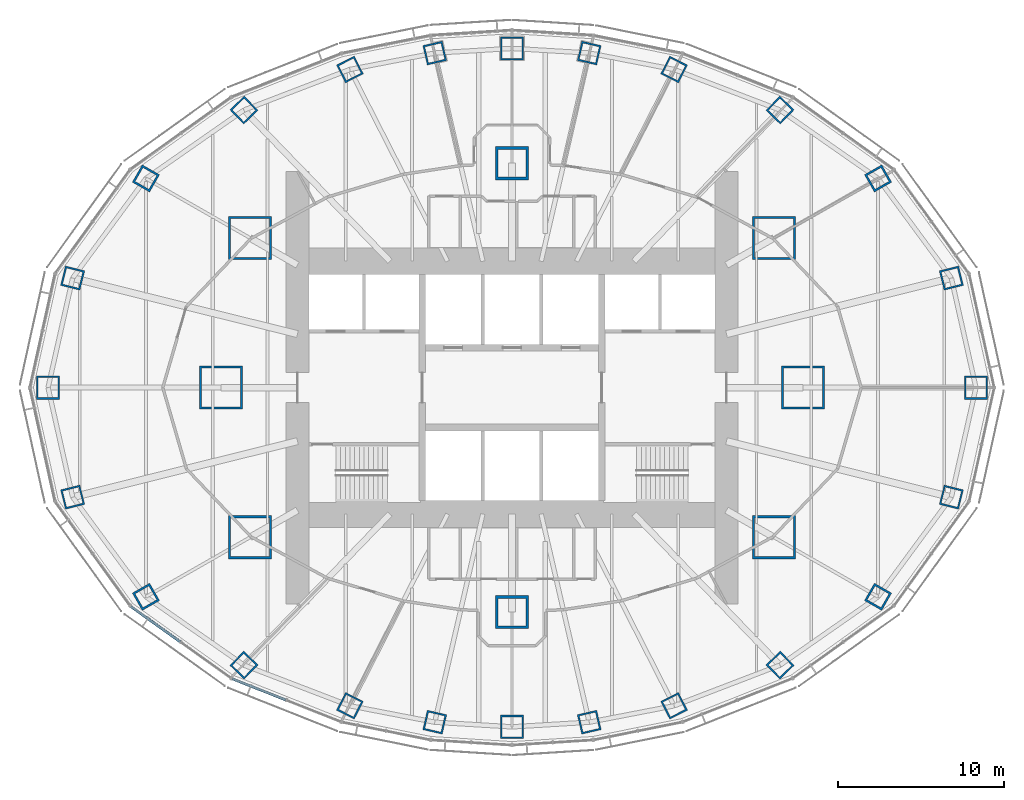
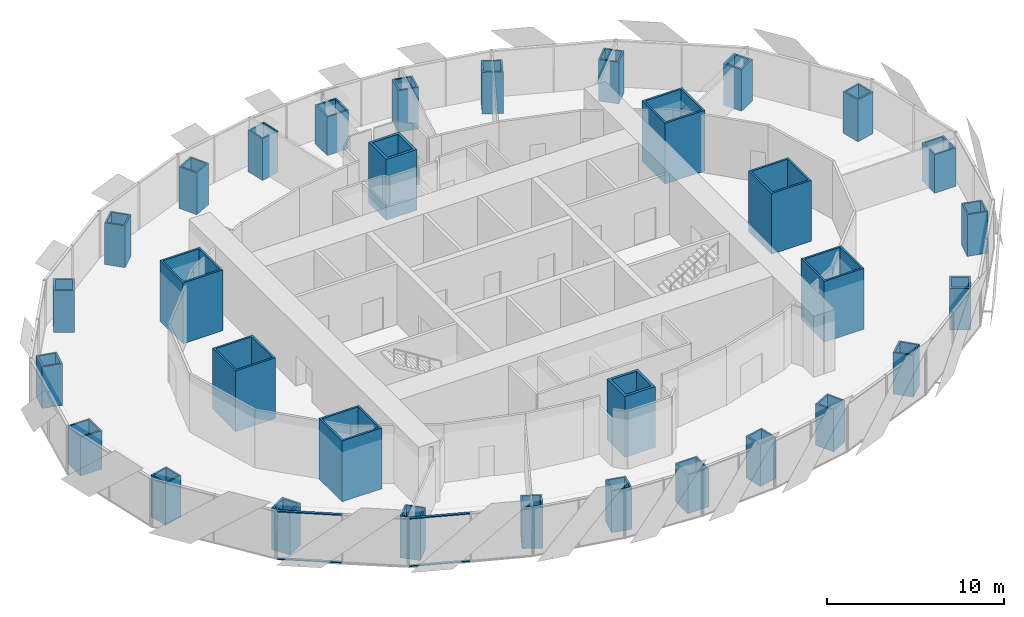
# One storey, part 1 of 18: 32 columns, 4 members, 2 elements without a shape of their own.
"""IFC4 building model written with IfcOpenShell, lengths in metres."""

from ifc_helpers import new_model, si_unit, direction, frame, origin, origin_2d, place, context, subcontext, project, spatial, rectangle, hollow_rectangle, extrude, material, material_profile, profile_set, type_object, element, aggregate, save


model = new_model("IFC4")

# Units and contexts
model_context = context("Model", 3, precision=1e-05, world=origin(), true_north=direction((0.0, 1.0)))
body_context = subcontext(model_context, "Body", "Model", "MODEL_VIEW")
ifc_project = project(units=[si_unit("LENGTHUNIT", "METRE"), si_unit("AREAUNIT", "SQUARE_METRE"), si_unit("VOLUMEUNIT", "CUBIC_METRE"), si_unit("PLANEANGLEUNIT", "RADIAN"), si_unit("MASSUNIT", "GRAM", prefix="KILO")], contexts=[model_context])

# Site, building, storey
site_placement = place(None, origin())
site = spatial("IfcSite", under=ifc_project, at=site_placement, CompositionType="ELEMENT")
building_placement = place(site_placement, origin())
building = spatial("IfcBuilding", under=site, at=building_placement, Name="Lantaw Convention Tower", CompositionType="ELEMENT")
storey_placement = place(building_placement, frame((0.0, 0.0, 188.800048828125)))
storey = spatial("IfcBuildingStorey", under=building, at=storey_placement, Name="L44", CompositionType="ELEMENT", Elevation=188.800048828125)

# Columns
ifc_material_1 = material(Name="Steel EN 10025-3 S460N", Category="steel")
ifc_material_profile_1 = material_profile(ifc_material_1, hollow_rectangle(XDim=2.0, YDim=2.0, WallThickness=0.169921875, at=origin_2d()), Name="BOX2000X170")
ifc_material_2 = material(Name="Concrete C60/75", Category="concrete")
ifc_material_profile_2 = material_profile(ifc_material_2, rectangle(XDim=1.659912109375, YDim=1.659912109375, at=origin_2d()), Name="Concrete fill of BOX2000X170")
ifc_profile_set_1 = profile_set([ifc_material_profile_1, ifc_material_profile_2], Name="Steel EN 10025-3 S460N")
column_type_1 = type_object("IfcColumnType", Name="Column MC BOX2000X170", PredefinedType="COLUMN", material=ifc_profile_set_1)
for number, where, z_axis, x_axis, name in (
    (1, (0.0, 13.5, 0.0), (0.0, 0.0, 1.0), (1.0, 0.0, 0.0), "Mega column M3"),
    (2, (0.0, -13.5, 0.0), (0.0, 0.0, 1.0), (1.0, 0.0, 0.0), "Mega column M7"),
):
    element("IfcColumn", number, at=place(storey_placement, frame(where, z_axis=z_axis, x_axis=x_axis)), inside=storey, type_object=column_type_1, Name=name, PredefinedType="COLUMN", context=body_context, shape_type="SweptSolid", body=[
        extrude(hollow_rectangle(XDim=2.0, YDim=2.0, WallThickness=0.169921875, at=origin_2d()), origin(), (0.0, 0.0, 1.0), 4.199951171875),
    ])
ifc_material_profile_3 = material_profile(ifc_material_1, hollow_rectangle(XDim=2.60009765625, YDim=2.60009765625, WallThickness=0.1298828125, at=origin_2d()), Name="BOX2600X130")
ifc_material_profile_4 = material_profile(ifc_material_2, rectangle(XDim=2.340087890625, YDim=2.340087890625, at=origin_2d()), Name="Concrete fill of BOX2600X130")
ifc_profile_set_2 = profile_set([ifc_material_profile_3, ifc_material_profile_4], Name="Steel EN 10025-3 S460N")
column_type_2 = type_object("IfcColumnType", Name="Column MC BOX2600X130", PredefinedType="COLUMN", material=ifc_profile_set_2)
for number, where, z_axis, x_axis, name in (
    (3, (17.5, 0.0, 0.0), (0.0, 0.0, 1.0), (1.0, 0.0, 0.0), "Mega column M1"),
    (4, (15.75, 9.0, 0.0), (0.0, 0.0, 1.0), (1.0, 0.0, 0.0), "Mega column M2"),
    (5, (-15.75, 9.0, 0.0), (0.0, 0.0, 1.0), (1.0, 0.0, 0.0), "Mega column M4"),
    (6, (-17.5, 0.0, 0.0), (0.0, 0.0, 1.0), (1.0, 0.0, 0.0), "Mega column M5"),
    (7, (-15.75, -9.0, 0.0), (0.0, 0.0, 1.0), (1.0, 0.0, 0.0), "Mega column M6"),
    (8, (15.75, -9.0, 0.0), (0.0, 0.0, 1.0), (1.0, 0.0, 0.0), "Mega column M8"),
):
    element("IfcColumn", number, at=place(storey_placement, frame(where, z_axis=z_axis, x_axis=x_axis)), inside=storey, type_object=column_type_2, Name=name, PredefinedType="COLUMN", context=body_context, shape_type="SweptSolid", body=[
        extrude(hollow_rectangle(XDim=2.60009765625, YDim=2.60009765625, WallThickness=0.1298828125, at=origin_2d()), origin(), (0.0, 0.0, 1.0), 4.199951171875),
    ])
ifc_material_profile_5 = material_profile(ifc_material_1, hollow_rectangle(XDim=1.199951171875, YDim=1.199951171875, WallThickness=0.10009765625, at=origin_2d()), Name="BOX1200X100")
ifc_material_profile_6 = material_profile(ifc_material_2, rectangle(XDim=1.0, YDim=1.0, at=origin_2d()), Name="Concrete fill of BOX1200X100")
ifc_profile_set_3 = profile_set([ifc_material_profile_5, ifc_material_profile_6], Name="Steel EN 10025-3 S460N")
column_type_3 = type_object("IfcColumnType", Name="Column PC BOX1200X100", PredefinedType="COLUMN", material=ifc_profile_set_3)
for number, where, z_axis, x_axis, name in (
    (9, (26.419921875, 6.587158203125, 0.0), (0.0, 0.0, 1.0), (0.970295726276, 0.2419218956, 0.0), "Perimeter column P2"),
    (10, (16.11767578125, 16.690185546875, 0.0), (0.0, 0.0, 1.0), (0.694658370459, 0.719339800339, 0.0), "Perimeter column P4"),
    (11, (9.74853515625, 19.1328125, 0.0), (0.0, 0.0, 1.0), (0.45399049974, 0.891006524188, 0.0), "Perimeter column P5"),
    (12, (4.64501953125, 20.1201171875, 0.0), (0.0, 0.0, 1.0), (0.224951054344, 0.974370064785, 0.0), "Perimeter column P6"),
    (13, (-4.64501953125, 20.1201171875, 0.0), (0.0, 0.0, 1.0), (0.974370064785, 0.224951054344, 0.0), "Perimeter column P8"),
    (14, (-9.74853515625, 19.1328125, 0.0), (0.0, 0.0, 1.0), (0.891006524188, 0.45399049974, 0.0), "Perimeter column P9"),
    (15, (-16.11767578125, 16.690185546875, 0.0), (0.0, 0.0, 1.0), (0.719339800339, 0.694658370459, 0.0), "Perimeter column P10"),
    (16, (-26.419921875, 6.587158203125, 0.0), (0.0, 0.0, 1.0), (0.2419218956, 0.970295726276, 0.0), "Perimeter column P12"),
    (17, (-26.419921875, -6.587158203125, 0.0), (0.0, 0.0, 1.0), (0.970295726276, 0.2419218956, 0.0), "Perimeter column P14"),
    (18, (-16.11767578125, -16.690185546875, 0.0), (0.0, 0.0, 1.0), (0.694658370459, 0.719339800339, 0.0), "Perimeter column P16"),
    (19, (-9.74853515625, -19.1328125, 0.0), (0.0, 0.0, 1.0), (0.45399049974, 0.891006524188, 0.0), "Perimeter column P17"),
    (20, (-4.64501953125, -20.1201171875, 0.0), (0.0, 0.0, 1.0), (0.224951054344, 0.974370064785, 0.0), "Perimeter column P18"),
    (21, (4.64501953125, -20.1201171875, 0.0), (0.0, 0.0, 1.0), (0.974370064785, 0.224951054344, 0.0), "Perimeter column P20"),
    (22, (9.74853515625, -19.1328125, 0.0), (0.0, 0.0, 1.0), (0.891006524188, 0.45399049974, 0.0), "Perimeter column P21"),
    (23, (16.11767578125, -16.690185546875, 0.0), (0.0, 0.0, 1.0), (0.719339800339, 0.694658370459, 0.0), "Perimeter column P22"),
    (24, (26.419921875, -6.587158203125, 0.0), (0.0, 0.0, 1.0), (0.2419218956, 0.970295726276, 0.0), "Perimeter column P24"),
):
    element("IfcColumn", number, at=place(storey_placement, frame(where, z_axis=z_axis, x_axis=x_axis)), inside=storey, type_object=column_type_3, Name=name, PredefinedType="COLUMN", context=body_context, shape_type="SweptSolid", body=[
        extrude(hollow_rectangle(XDim=1.199951171875, YDim=1.199951171875, WallThickness=0.10009765625, at=origin_2d()), origin(), (0.0, 0.0, 1.0), 2.8798828125),
    ])
ifc_material_profile_7 = material_profile(ifc_material_1, hollow_rectangle(XDim=1.199951171875, YDim=1.199951171875, WallThickness=0.1201171875, at=origin_2d()), Name="BOX1200X120")
ifc_material_profile_8 = material_profile(ifc_material_2, rectangle(XDim=0.9599609375, YDim=0.9599609375, at=origin_2d()), Name="Concrete fill of BOX1200X120")
ifc_profile_set_4 = profile_set([ifc_material_profile_7, ifc_material_profile_8], Name="Steel EN 10025-3 S460N")
column_type_4 = type_object("IfcColumnType", Name="Column PC BOX1200X120", PredefinedType="COLUMN", material=ifc_profile_set_4)
for number, where, z_axis, x_axis, name in (
    (25, (22.013916015625, 12.579345703125, 0.0), (0.0, 0.0, 1.0), (0.86824298017, 0.496139221777, 0.0), "Perimeter column P3"),
    (26, (-22.013916015625, 12.579345703125, 0.0), (0.0, 0.0, 1.0), (0.496139221777, 0.86824298017, 0.0), "Perimeter column P11"),
    (27, (-22.013916015625, -12.579345703125, 0.0), (0.0, 0.0, 1.0), (0.86824298017, 0.496139221777, 0.0), "Perimeter column P15"),
    (28, (22.013916015625, -12.579345703125, 0.0), (0.0, 0.0, 1.0), (0.496139221777, 0.86824298017, 0.0), "Perimeter column P23"),
):
    element("IfcColumn", number, at=place(storey_placement, frame(where, z_axis=z_axis, x_axis=x_axis)), inside=storey, type_object=column_type_4, Name=name, PredefinedType="COLUMN", context=body_context, shape_type="SweptSolid", body=[
        extrude(hollow_rectangle(XDim=1.199951171875, YDim=1.199951171875, WallThickness=0.1201171875, at=origin_2d()), origin(), (0.0, 0.0, 1.0), 2.8798828125),
    ])
ifc_material_profile_9 = material_profile(ifc_material_1, hollow_rectangle(XDim=1.39990234375, YDim=1.39990234375, WallThickness=0.10009765625, at=origin_2d()), Name="BOX1400X100")
ifc_material_profile_10 = material_profile(ifc_material_2, rectangle(XDim=1.199951171875, YDim=1.199951171875, at=origin_2d()), Name="Concrete fill of BOX1400X100")
ifc_profile_set_5 = profile_set([ifc_material_profile_9, ifc_material_profile_10], Name="Steel EN 10025-3 S460N")
column_type_5 = type_object("IfcColumnType", Name="Column PC BOX1400X100", PredefinedType="COLUMN", material=ifc_profile_set_5)
for number, where, z_axis, x_axis, name in (
    (29, (27.89990234375, 0.0, 0.0), (0.0, 0.0, 1.0), (1.0, 0.0, 0.0), "Perimeter column P1"),
    (30, (0.0, 20.39990234375, 0.0), (0.0, 0.0, 1.0), (1.0, 0.0, 0.0), "Perimeter column P7"),
    (31, (-27.89990234375, 0.0, 0.0), (0.0, 0.0, 1.0), (1.0, 0.0, 0.0), "Perimeter column P13"),
    (32, (0.0, -20.39990234375, 0.0), (0.0, 0.0, 1.0), (1.0, 0.0, 0.0), "Perimeter column P19"),
):
    element("IfcColumn", number, at=place(storey_placement, frame(where, z_axis=z_axis, x_axis=x_axis)), inside=storey, type_object=column_type_5, Name=name, PredefinedType="COLUMN", context=body_context, shape_type="SweptSolid", body=[
        extrude(hollow_rectangle(XDim=1.39990234375, YDim=1.39990234375, WallThickness=0.10009765625, at=origin_2d()), origin(), (0.0, 0.0, 1.0), 2.659912109375),
    ])

# Curtain wall, members
ifc_material_3 = material(Name="Aluminium framed curtain wall", Category="aluminium")
curtain_wall_type = type_object("IfcCurtainWallType", Name="Office curtain wall low rise, pale aluminium", PredefinedType="USERDEFINED", material=ifc_material_3)
curtain_wall_1_placement = place(storey_placement, origin())
curtain_wall_1 = element("IfcCurtainWall", 33, at=curtain_wall_1_placement, inside=storey, type_object=curtain_wall_type, Name="Office curtain wall low rise, pale aluminium L44", ObjectType="UNITISED CURTAIN WALL", PredefinedType="USERDEFINED")
ifc_material_4 = material(Name="Aluminium 6063-T6", Category="aluminium")
ifc_material_profile_11 = material_profile(ifc_material_4, rectangle(XDim=0.159912109375, YDim=0.06494140625, at=origin_2d()), Name="CW-O1 transom 65x160")
ifc_profile_set_6 = profile_set([ifc_material_profile_11], Name="Aluminium 6063-T6")
member_type = type_object("IfcMemberType", Name="CW-O1 transom 65x160", PredefinedType="USERDEFINED", material=ifc_profile_set_6)
member_1_placement = place(storey_placement, frame((-22.916259765625, -13.1630859375, -0.117431640625), z_axis=(0.813221785972, -0.581953887194, 0.0), x_axis=(0.581953887194, 0.813221785972, 0.0)))
member_1 = element("IfcMember", 34, at=member_1_placement, type_object=member_type, Name="CW-O1 transom 1.1", ObjectType="TRANSOM", PredefinedType="USERDEFINED", context=body_context, shape_type="SweptSolid", body=[
    extrude(rectangle(XDim=0.159912109375, YDim=0.06494140625, at=origin_2d()), origin(), (0.0, 0.0, 1.0), 3.645263671875),
])
member_2_placement = place(storey_placement, frame((-22.916259765625, -13.1630859375, 3.16748046875), z_axis=(0.813221785972, -0.581953887194, 0.0), x_axis=(0.581953887194, 0.813221785972, 0.0)))
member_2 = element("IfcMember", 35, at=member_2_placement, type_object=member_type, Name="CW-O1 transom 1.2", ObjectType="TRANSOM", PredefinedType="USERDEFINED", context=body_context, shape_type="SweptSolid", body=[
    extrude(rectangle(XDim=0.159912109375, YDim=0.06494140625, at=origin_2d()), origin(), (0.0, 0.0, 1.0), 3.645263671875),
])
aggregate(curtain_wall_1, [member_1, member_2])

curtain_wall_2_placement = place(storey_placement, origin())
curtain_wall_2 = element("IfcCurtainWall", 36, at=curtain_wall_2_placement, inside=storey, type_object=curtain_wall_type, Name="Office curtain wall low rise, pale aluminium L44", ObjectType="UNITISED CURTAIN WALL", PredefinedType="USERDEFINED")
member_3_placement = place(storey_placement, frame((-16.8212890625, -17.505615234375, -0.117431640625), z_axis=(0.929564188507, -0.368660303592, 0.0), x_axis=(0.368660303592, 0.929564188507, 0.0)))
member_3 = element("IfcMember", 37, at=member_3_placement, type_object=member_type, Name="CW-O1 transom 1.1", ObjectType="TRANSOM", PredefinedType="USERDEFINED", context=body_context, shape_type="SweptSolid", body=[
    extrude(rectangle(XDim=0.159912109375, YDim=0.06494140625, at=origin_2d()), origin(), (0.0, 0.0, 1.0), 3.470703125),
])
member_4_placement = place(storey_placement, frame((-16.8212890625, -17.505615234375, 3.16748046875), z_axis=(0.929564188507, -0.368660303592, 0.0), x_axis=(0.368660303592, 0.929564188507, 0.0)))
member_4 = element("IfcMember", 38, at=member_4_placement, type_object=member_type, Name="CW-O1 transom 1.2", ObjectType="TRANSOM", PredefinedType="USERDEFINED", context=body_context, shape_type="SweptSolid", body=[
    extrude(rectangle(XDim=0.159912109375, YDim=0.06494140625, at=origin_2d()), origin(), (0.0, 0.0, 1.0), 3.470703125),
])
aggregate(curtain_wall_2, [member_3, member_4])

save(model, "model.ifc")
